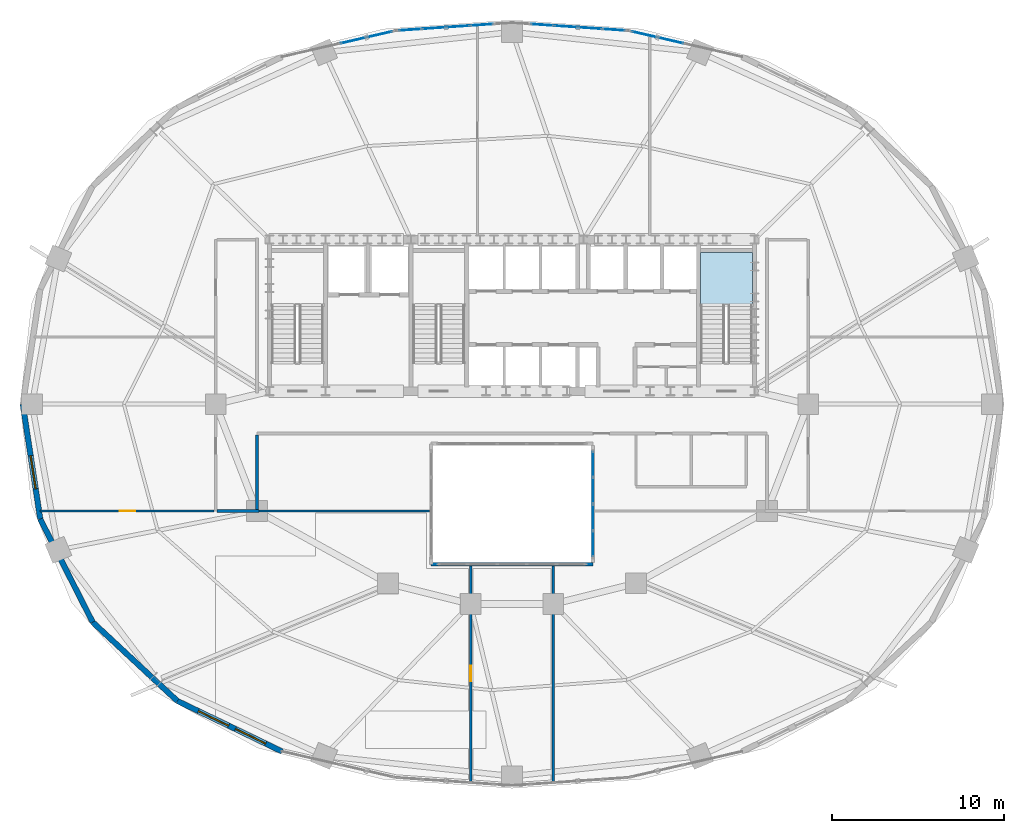
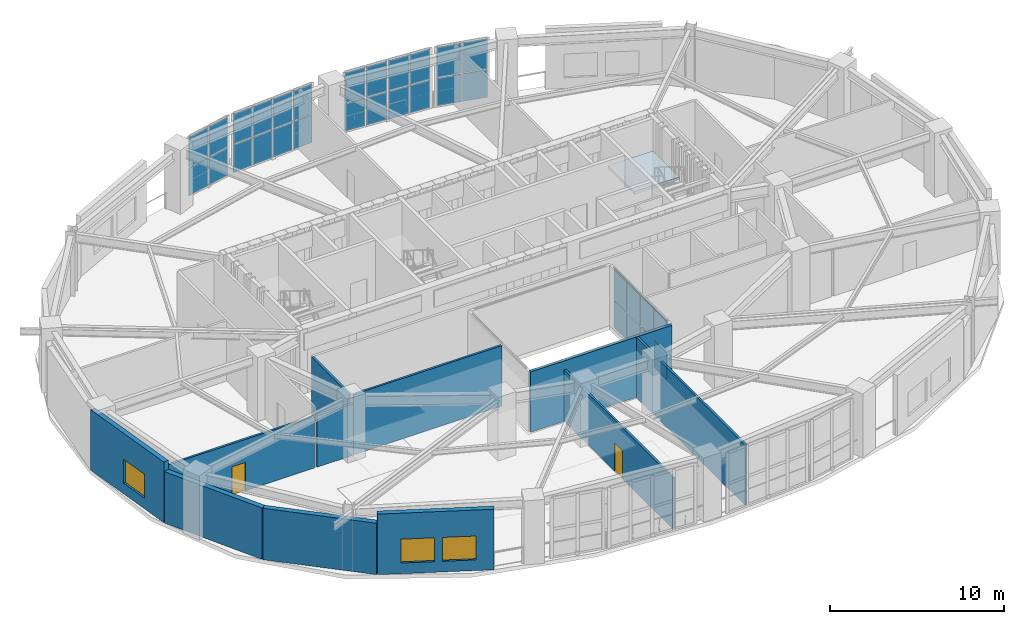
# One storey, part 9 of 15: 32 plates, 11 walls, 3 windows, 2 doors, 1 slab, 5 openings, 6 elements without a shape of their own.
"""IFC4 building model written with IfcOpenShell, lengths in metres."""

from ifc_helpers import new_model, si_unit, direction, frame, frame_2d, origin, origin_2d, place, context, subcontext, project, spatial, polyline, rectangle, outline, extrude, material, layer, layer_set, type_object, element, fill, aggregate, save


model = new_model("IFC4")

# Units and contexts
model_context = context("Model", 3, precision=1e-05, world=origin(), true_north=direction((0.0, 1.0)))
body_context = subcontext(model_context, "Body", "Model", "MODEL_VIEW")
ifc_project = project(units=[si_unit("LENGTHUNIT", "METRE"), si_unit("AREAUNIT", "SQUARE_METRE"), si_unit("VOLUMEUNIT", "CUBIC_METRE"), si_unit("PLANEANGLEUNIT", "RADIAN"), si_unit("MASSUNIT", "GRAM", prefix="KILO")], contexts=[model_context])

# Site, building, storey
site_placement = place(None, origin())
site = spatial("IfcSite", under=ifc_project, at=site_placement, CompositionType="ELEMENT")
building_placement = place(site_placement, origin())
building = spatial("IfcBuilding", under=site, at=building_placement, Name="Haldorwick Loom Tower", CompositionType="ELEMENT")
storey_placement = place(building_placement, frame((0.0, 0.0, 105.949951171875)))
storey = spatial("IfcBuildingStorey", under=building, at=storey_placement, Name="L28", CompositionType="ELEMENT", Elevation=105.949951171875)

# Curtain wall, plates
ifc_material_1 = material(Name="Thermally Broken Anodized Aluminium Curtain Wall Framing", Category="aluminium")
curtain_wall_type_1 = type_object("IfcCurtainWallType", Name="ARC-CW-03", PredefinedType="NOTDEFINED", material=ifc_material_1)
curtain_wall_1_placement = place(storey_placement, origin())
curtain_wall_1 = element("IfcCurtainWall", 1, at=curtain_wall_1_placement, inside=storey, type_object=curtain_wall_type_1, Name="L28 Atrium Glazed Screen E", PredefinedType="NOTDEFINED")
ifc_material_2 = material(Name="Triple-Glazed Low-E Argon Insulated Glazing Unit", Category="glass")
ifc_layer_1 = layer(ifc_material_2, 0.04296875, Name="Triple-Glazed Low-E Argon Insulated Glazing Unit", Category="glass")
ifc_layer_set_1 = layer_set([ifc_layer_1], Name="Triple-Glazed Low-E Argon Insulated Glazing Unit")
plate_type_1 = type_object("IfcPlateType", Name="ARC-CWP-03", PredefinedType="CURTAIN_PANEL", material=ifc_layer_set_1)
plate_1_placement = place(storey_placement, frame((40.699951171875, 22.508544921875, 0.066162109375), z_axis=(0.0, 0.0, 1.0), x_axis=(0.0, -1.0, 0.0)))
plate_1 = element("IfcPlate", 2, at=plate_1_placement, type_object=plate_type_1, Name="CW-03 panel 1.1", PredefinedType="CURTAIN_PANEL", context=body_context, shape_type="SweptSolid", body=[
    extrude(rectangle(XDim=1.450927734375, YDim=0.04296875, at=origin_2d()), origin(), (0.0, 0.0, 1.0), 1.90087890625),
])
plate_2_placement = place(storey_placement, frame((40.699951171875, 22.508544921875, 2.033203125), z_axis=(0.0, 0.0, 1.0), x_axis=(0.0, -1.0, 0.0)))
plate_2 = element("IfcPlate", 3, at=plate_2_placement, type_object=plate_type_1, Name="CW-03 panel 1.2", PredefinedType="CURTAIN_PANEL", context=body_context, shape_type="SweptSolid", body=[
    extrude(rectangle(XDim=1.450927734375, YDim=0.04296875, at=origin_2d()), origin(), (0.0, 0.0, 1.0), 2.160888671875),
])
plate_3_placement = place(storey_placement, frame((40.699951171875, 20.97509765625, 0.066162109375), z_axis=(0.0, 0.0, 1.0), x_axis=(0.0, -1.0, 0.0)))
plate_3 = element("IfcPlate", 4, at=plate_3_placement, type_object=plate_type_1, Name="CW-03 panel 2.1", PredefinedType="CURTAIN_PANEL", context=body_context, shape_type="SweptSolid", body=[
    extrude(rectangle(XDim=1.48388671875, YDim=0.04296875, at=origin_2d()), origin(), (0.0, 0.0, 1.0), 1.90087890625),
])
plate_4_placement = place(storey_placement, frame((40.699951171875, 20.97509765625, 2.033203125), z_axis=(0.0, 0.0, 1.0), x_axis=(0.0, -1.0, 0.0)))
plate_4 = element("IfcPlate", 5, at=plate_4_placement, type_object=plate_type_1, Name="CW-03 panel 2.2", PredefinedType="CURTAIN_PANEL", context=body_context, shape_type="SweptSolid", body=[
    extrude(rectangle(XDim=1.48388671875, YDim=0.04296875, at=origin_2d()), origin(), (0.0, 0.0, 1.0), 2.160888671875),
])
plate_5_placement = place(storey_placement, frame((40.699951171875, 19.425048828125, 0.066162109375), z_axis=(0.0, 0.0, 1.0), x_axis=(0.0, -1.0, 0.0)))
plate_5 = element("IfcPlate", 6, at=plate_5_placement, type_object=plate_type_1, Name="CW-03 panel 3.1", PredefinedType="CURTAIN_PANEL", context=body_context, shape_type="SweptSolid", body=[
    extrude(rectangle(XDim=1.48388671875, YDim=0.04296875, at=origin_2d()), origin(), (0.0, 0.0, 1.0), 1.90087890625),
])
plate_6_placement = place(storey_placement, frame((40.699951171875, 19.425048828125, 2.033203125), z_axis=(0.0, 0.0, 1.0), x_axis=(0.0, -1.0, 0.0)))
plate_6 = element("IfcPlate", 7, at=plate_6_placement, type_object=plate_type_1, Name="CW-03 panel 3.2", PredefinedType="CURTAIN_PANEL", context=body_context, shape_type="SweptSolid", body=[
    extrude(rectangle(XDim=1.48388671875, YDim=0.04296875, at=origin_2d()), origin(), (0.0, 0.0, 1.0), 2.160888671875),
])
plate_7_placement = place(storey_placement, frame((40.699951171875, 17.8916015625, 0.066162109375), z_axis=(0.0, 0.0, 1.0), x_axis=(0.0, -1.0, 0.0)))
plate_7 = element("IfcPlate", 8, at=plate_7_placement, type_object=plate_type_1, Name="CW-03 panel 4.1", PredefinedType="CURTAIN_PANEL", context=body_context, shape_type="SweptSolid", body=[
    extrude(rectangle(XDim=1.450927734375, YDim=0.04296875, at=origin_2d()), origin(), (0.0, 0.0, 1.0), 1.90087890625),
])
plate_8_placement = place(storey_placement, frame((40.699951171875, 17.8916015625, 2.033203125), z_axis=(0.0, 0.0, 1.0), x_axis=(0.0, -1.0, 0.0)))
plate_8 = element("IfcPlate", 9, at=plate_8_placement, type_object=plate_type_1, Name="CW-03 panel 4.2", PredefinedType="CURTAIN_PANEL", context=body_context, shape_type="SweptSolid", body=[
    extrude(rectangle(XDim=1.450927734375, YDim=0.04296875, at=origin_2d()), origin(), (0.0, 0.0, 1.0), 2.160888671875),
])
aggregate(curtain_wall_1, [plate_1, plate_2, plate_3, plate_4, plate_5, plate_6, plate_7, plate_8])

curtain_wall_type_2 = type_object("IfcCurtainWallType", Name="ARC-CW-04", PredefinedType="NOTDEFINED", material=ifc_material_1)
curtain_wall_2_placement = place(storey_placement, origin())
curtain_wall_2 = element("IfcCurtainWall", 10, at=curtain_wall_2_placement, inside=storey, type_object=curtain_wall_type_2, Name="L28 Facade Curtain Wall CW-04 Bay 5", PredefinedType="NOTDEFINED")
ifc_layer_2 = layer(ifc_material_2, 0.0458984375, Name="Triple-Glazed Low-E Argon Insulated Glazing Unit", Category="glass")
ifc_layer_set_2 = layer_set([ifc_layer_2], Name="Triple-Glazed Low-E Argon Insulated Glazing Unit")
plate_type_2 = type_object("IfcPlateType", Name="ARC-CWP-04", PredefinedType="CURTAIN_PANEL", material=ifc_layer_set_2)
plate_9_placement = place(storey_placement, frame((45.204345703125, 47.112060546875, 0.072021484375), z_axis=(0.0, 0.0, 1.0), x_axis=(-0.974593436624, 0.22398132353, 0.0)))
plate_9 = element("IfcPlate", 11, at=plate_9_placement, type_object=plate_type_2, Name="CW-04 panel 1.1", PredefinedType="CURTAIN_PANEL", context=body_context, shape_type="SweptSolid", body=[
    extrude(rectangle(XDim=1.48486328125, YDim=0.0458984375, at=origin_2d()), origin(), (0.0, 0.0, 1.0), 1.94189453125),
])
plate_10_placement = place(storey_placement, frame((45.204345703125, 47.112060546875, 2.0859375), z_axis=(0.0, 0.0, 1.0), x_axis=(-0.974593436624, 0.22398132353, 0.0)))
plate_10 = element("IfcPlate", 12, at=plate_10_placement, type_object=plate_type_2, Name="CW-04 panel 1.2", PredefinedType="CURTAIN_PANEL", context=body_context, shape_type="SweptSolid", body=[
    extrude(rectangle(XDim=1.48486328125, YDim=0.0458984375, at=origin_2d()), origin(), (0.0, 0.0, 1.0), 2.10205078125),
])
plate_11_placement = place(storey_placement, frame((43.687255859375, 47.460693359375, 0.072021484375), z_axis=(0.0, 0.0, 1.0), x_axis=(-0.974593436624, 0.22398132353, 0.0)))
plate_11 = element("IfcPlate", 13, at=plate_11_placement, type_object=plate_type_2, Name="CW-04 panel 2.1", PredefinedType="CURTAIN_PANEL", context=body_context, shape_type="SweptSolid", body=[
    extrude(rectangle(XDim=1.48486328125, YDim=0.0458984375, at=origin_2d()), origin(), (0.0, 0.0, 1.0), 1.94189453125),
])
plate_12_placement = place(storey_placement, frame((43.687255859375, 47.460693359375, 2.0859375), z_axis=(0.0, 0.0, 1.0), x_axis=(-0.974593436624, 0.22398132353, 0.0)))
plate_12 = element("IfcPlate", 14, at=plate_12_placement, type_object=plate_type_2, Name="CW-04 panel 2.2", PredefinedType="CURTAIN_PANEL", context=body_context, shape_type="SweptSolid", body=[
    extrude(rectangle(XDim=1.48486328125, YDim=0.0458984375, at=origin_2d()), origin(), (0.0, 0.0, 1.0), 2.10205078125),
])
aggregate(curtain_wall_2, [plate_9, plate_10, plate_11, plate_12])

curtain_wall_3_placement = place(storey_placement, origin())
curtain_wall_3 = element("IfcCurtainWall", 15, at=curtain_wall_3_placement, inside=storey, type_object=curtain_wall_type_2, Name="L28 Facade Curtain Wall CW-04 Bay 6", PredefinedType="NOTDEFINED")
plate_13_placement = place(storey_placement, frame((41.901611328125, 47.733154296875, 0.072021484375), z_axis=(0.0, 0.0, 1.0), x_axis=(-0.997651387223, 0.068496055152, 0.0)))
plate_13 = element("IfcPlate", 16, at=plate_13_placement, type_object=plate_type_2, Name="CW-04 panel 1.1", PredefinedType="CURTAIN_PANEL", context=body_context, shape_type="SweptSolid", body=[
    extrude(rectangle(XDim=1.291015625, YDim=0.0458984375, at=origin_2d()), origin(), (0.0, 0.0, 1.0), 1.94189453125),
])
plate_14_placement = place(storey_placement, frame((41.901611328125, 47.733154296875, 2.0859375), z_axis=(0.0, 0.0, 1.0), x_axis=(-0.997651387223, 0.068496055152, 0.0)))
plate_14 = element("IfcPlate", 17, at=plate_14_placement, type_object=plate_type_2, Name="CW-04 panel 1.2", PredefinedType="CURTAIN_PANEL", context=body_context, shape_type="SweptSolid", body=[
    extrude(rectangle(XDim=1.291015625, YDim=0.0458984375, at=origin_2d()), origin(), (0.0, 0.0, 1.0), 2.10205078125),
])
plate_15_placement = place(storey_placement, frame((40.52392578125, 47.827880859375, 0.072021484375), z_axis=(0.0, 0.0, 1.0), x_axis=(-0.997651387223, 0.068496055152, 0.0)))
plate_15 = element("IfcPlate", 18, at=plate_15_placement, type_object=plate_type_2, Name="CW-04 panel 2.1", PredefinedType="CURTAIN_PANEL", context=body_context, shape_type="SweptSolid", body=[
    extrude(rectangle(XDim=1.326904296875, YDim=0.0458984375, at=origin_2d()), origin(), (0.0, 0.0, 1.0), 1.94189453125),
])
plate_16_placement = place(storey_placement, frame((40.52392578125, 47.827880859375, 2.0859375), z_axis=(0.0, 0.0, 1.0), x_axis=(-0.997651387223, 0.068496055152, 0.0)))
plate_16 = element("IfcPlate", 19, at=plate_16_placement, type_object=plate_type_2, Name="CW-04 panel 2.2", PredefinedType="CURTAIN_PANEL", context=body_context, shape_type="SweptSolid", body=[
    extrude(rectangle(XDim=1.326904296875, YDim=0.0458984375, at=origin_2d()), origin(), (0.0, 0.0, 1.0), 2.10205078125),
])
plate_17_placement = place(storey_placement, frame((39.128173828125, 47.923583984375, 0.072021484375), z_axis=(0.0, 0.0, 1.0), x_axis=(-0.997651387223, 0.068496055152, 0.0)))
plate_17 = element("IfcPlate", 20, at=plate_17_placement, type_object=plate_type_2, Name="CW-04 panel 3.1", PredefinedType="CURTAIN_PANEL", context=body_context, shape_type="SweptSolid", body=[
    extrude(rectangle(XDim=1.326904296875, YDim=0.0458984375, at=origin_2d()), origin(), (0.0, 0.0, 1.0), 1.94189453125),
])
plate_18_placement = place(storey_placement, frame((39.128173828125, 47.923583984375, 2.0859375), z_axis=(0.0, 0.0, 1.0), x_axis=(-0.997651387223, 0.068496055152, 0.0)))
plate_18 = element("IfcPlate", 21, at=plate_18_placement, type_object=plate_type_2, Name="CW-04 panel 3.2", PredefinedType="CURTAIN_PANEL", context=body_context, shape_type="SweptSolid", body=[
    extrude(rectangle(XDim=1.326904296875, YDim=0.0458984375, at=origin_2d()), origin(), (0.0, 0.0, 1.0), 2.10205078125),
])
plate_19_placement = place(storey_placement, frame((37.75048828125, 48.018310546875, 0.072021484375), z_axis=(0.0, 0.0, 1.0), x_axis=(-0.997651387223, 0.068496055152, 0.0)))
plate_19 = element("IfcPlate", 22, at=plate_19_placement, type_object=plate_type_2, Name="CW-04 panel 4.1", PredefinedType="CURTAIN_PANEL", context=body_context, shape_type="SweptSolid", body=[
    extrude(rectangle(XDim=1.291015625, YDim=0.0458984375, at=origin_2d()), origin(), (0.0, 0.0, 1.0), 1.94189453125),
])
plate_20_placement = place(storey_placement, frame((37.75048828125, 48.018310546875, 2.0859375), z_axis=(0.0, 0.0, 1.0), x_axis=(-0.997651387223, 0.068496055152, 0.0)))
plate_20 = element("IfcPlate", 23, at=plate_20_placement, type_object=plate_type_2, Name="CW-04 panel 4.2", PredefinedType="CURTAIN_PANEL", context=body_context, shape_type="SweptSolid", body=[
    extrude(rectangle(XDim=1.291015625, YDim=0.0458984375, at=origin_2d()), origin(), (0.0, 0.0, 1.0), 2.10205078125),
])
aggregate(curtain_wall_3, [plate_13, plate_14, plate_15, plate_16, plate_17, plate_18, plate_19, plate_20])

curtain_wall_4_placement = place(storey_placement, origin())
curtain_wall_4 = element("IfcCurtainWall", 24, at=curtain_wall_4_placement, inside=storey, type_object=curtain_wall_type_2, Name="L28 Facade Curtain Wall CW-04 Bay 7", PredefinedType="NOTDEFINED")
plate_21_placement = place(storey_placement, frame((34.24951171875, 48.018310546875, 0.072021484375), z_axis=(0.0, 0.0, 1.0), x_axis=(-0.997651387223, -0.068496055152, 0.0)))
plate_21 = element("IfcPlate", 25, at=plate_21_placement, type_object=plate_type_2, Name="CW-04 panel 1.1", PredefinedType="CURTAIN_PANEL", context=body_context, shape_type="SweptSolid", body=[
    extrude(rectangle(XDim=1.291015625, YDim=0.0458984375, at=origin_2d()), origin(), (0.0, 0.0, 1.0), 1.94189453125),
])
plate_22_placement = place(storey_placement, frame((34.24951171875, 48.018310546875, 2.0859375), z_axis=(0.0, 0.0, 1.0), x_axis=(-0.997651387223, -0.068496055152, 0.0)))
plate_22 = element("IfcPlate", 26, at=plate_22_placement, type_object=plate_type_2, Name="CW-04 panel 1.2", PredefinedType="CURTAIN_PANEL", context=body_context, shape_type="SweptSolid", body=[
    extrude(rectangle(XDim=1.291015625, YDim=0.0458984375, at=origin_2d()), origin(), (0.0, 0.0, 1.0), 2.10205078125),
])
plate_23_placement = place(storey_placement, frame((32.871826171875, 47.923583984375, 0.072021484375), z_axis=(0.0, 0.0, 1.0), x_axis=(-0.997651387223, -0.068496055152, 0.0)))
plate_23 = element("IfcPlate", 27, at=plate_23_placement, type_object=plate_type_2, Name="CW-04 panel 2.1", PredefinedType="CURTAIN_PANEL", context=body_context, shape_type="SweptSolid", body=[
    extrude(rectangle(XDim=1.326904296875, YDim=0.0458984375, at=origin_2d()), origin(), (0.0, 0.0, 1.0), 1.94189453125),
])
plate_24_placement = place(storey_placement, frame((32.871826171875, 47.923583984375, 2.0859375), z_axis=(0.0, 0.0, 1.0), x_axis=(-0.997651387223, -0.068496055152, 0.0)))
plate_24 = element("IfcPlate", 28, at=plate_24_placement, type_object=plate_type_2, Name="CW-04 panel 2.2", PredefinedType="CURTAIN_PANEL", context=body_context, shape_type="SweptSolid", body=[
    extrude(rectangle(XDim=1.326904296875, YDim=0.0458984375, at=origin_2d()), origin(), (0.0, 0.0, 1.0), 2.10205078125),
])
plate_25_placement = place(storey_placement, frame((31.47607421875, 47.827880859375, 0.072021484375), z_axis=(0.0, 0.0, 1.0), x_axis=(-0.997651387223, -0.068496055152, 0.0)))
plate_25 = element("IfcPlate", 29, at=plate_25_placement, type_object=plate_type_2, Name="CW-04 panel 3.1", PredefinedType="CURTAIN_PANEL", context=body_context, shape_type="SweptSolid", body=[
    extrude(rectangle(XDim=1.326904296875, YDim=0.0458984375, at=origin_2d()), origin(), (0.0, 0.0, 1.0), 1.94189453125),
])
plate_26_placement = place(storey_placement, frame((31.47607421875, 47.827880859375, 2.0859375), z_axis=(0.0, 0.0, 1.0), x_axis=(-0.997651387223, -0.068496055152, 0.0)))
plate_26 = element("IfcPlate", 30, at=plate_26_placement, type_object=plate_type_2, Name="CW-04 panel 3.2", PredefinedType="CURTAIN_PANEL", context=body_context, shape_type="SweptSolid", body=[
    extrude(rectangle(XDim=1.326904296875, YDim=0.0458984375, at=origin_2d()), origin(), (0.0, 0.0, 1.0), 2.10205078125),
])
plate_27_placement = place(storey_placement, frame((30.098388671875, 47.733154296875, 0.072021484375), z_axis=(0.0, 0.0, 1.0), x_axis=(-0.997651387223, -0.068496055152, 0.0)))
plate_27 = element("IfcPlate", 31, at=plate_27_placement, type_object=plate_type_2, Name="CW-04 panel 4.1", PredefinedType="CURTAIN_PANEL", context=body_context, shape_type="SweptSolid", body=[
    extrude(rectangle(XDim=1.291015625, YDim=0.0458984375, at=origin_2d()), origin(), (0.0, 0.0, 1.0), 1.94189453125),
])
plate_28_placement = place(storey_placement, frame((30.098388671875, 47.733154296875, 2.0859375), z_axis=(0.0, 0.0, 1.0), x_axis=(-0.997651387223, -0.068496055152, 0.0)))
plate_28 = element("IfcPlate", 32, at=plate_28_placement, type_object=plate_type_2, Name="CW-04 panel 4.2", PredefinedType="CURTAIN_PANEL", context=body_context, shape_type="SweptSolid", body=[
    extrude(rectangle(XDim=1.291015625, YDim=0.0458984375, at=origin_2d()), origin(), (0.0, 0.0, 1.0), 2.10205078125),
])
aggregate(curtain_wall_4, [plate_21, plate_22, plate_23, plate_24, plate_25, plate_26, plate_27, plate_28])

curtain_wall_5_placement = place(storey_placement, origin())
curtain_wall_5 = element("IfcCurtainWall", 33, at=curtain_wall_5_placement, inside=storey, type_object=curtain_wall_type_2, Name="L28 Facade Curtain Wall CW-04 Bay 8", PredefinedType="NOTDEFINED")
plate_29_placement = place(storey_placement, frame((28.312744140625, 47.460693359375, 0.072021484375), z_axis=(0.0, 0.0, 1.0), x_axis=(-0.974593436624, -0.22398132353, 0.0)))
plate_29 = element("IfcPlate", 34, at=plate_29_placement, type_object=plate_type_2, Name="CW-04 panel 1.1", PredefinedType="CURTAIN_PANEL", context=body_context, shape_type="SweptSolid", body=[
    extrude(rectangle(XDim=1.48486328125, YDim=0.0458984375, at=origin_2d()), origin(), (0.0, 0.0, 1.0), 1.94189453125),
])
plate_30_placement = place(storey_placement, frame((28.312744140625, 47.460693359375, 2.0859375), z_axis=(0.0, 0.0, 1.0), x_axis=(-0.974593436624, -0.22398132353, 0.0)))
plate_30 = element("IfcPlate", 35, at=plate_30_placement, type_object=plate_type_2, Name="CW-04 panel 1.2", PredefinedType="CURTAIN_PANEL", context=body_context, shape_type="SweptSolid", body=[
    extrude(rectangle(XDim=1.48486328125, YDim=0.0458984375, at=origin_2d()), origin(), (0.0, 0.0, 1.0), 2.10205078125),
])
plate_31_placement = place(storey_placement, frame((26.795654296875, 47.112060546875, 0.072021484375), z_axis=(0.0, 0.0, 1.0), x_axis=(-0.974593436624, -0.22398132353, 0.0)))
plate_31 = element("IfcPlate", 36, at=plate_31_placement, type_object=plate_type_2, Name="CW-04 panel 2.1", PredefinedType="CURTAIN_PANEL", context=body_context, shape_type="SweptSolid", body=[
    extrude(rectangle(XDim=1.48486328125, YDim=0.0458984375, at=origin_2d()), origin(), (0.0, 0.0, 1.0), 1.94189453125),
])
plate_32_placement = place(storey_placement, frame((26.795654296875, 47.112060546875, 2.0859375), z_axis=(0.0, 0.0, 1.0), x_axis=(-0.974593436624, -0.22398132353, 0.0)))
plate_32 = element("IfcPlate", 37, at=plate_32_placement, type_object=plate_type_2, Name="CW-04 panel 2.2", PredefinedType="CURTAIN_PANEL", context=body_context, shape_type="SweptSolid", body=[
    extrude(rectangle(XDim=1.48486328125, YDim=0.0458984375, at=origin_2d()), origin(), (0.0, 0.0, 1.0), 2.10205078125),
])
aggregate(curtain_wall_5, [plate_29, plate_30, plate_31, plate_32])

# Stair, slab
ifc_material_3 = material(Name="Concrete C40 (40 MPa)", Category="concrete")
stair_type = type_object("IfcStairType", Name="STR-STR-CORE", PredefinedType="HALF_TURN_STAIR", material=ifc_material_3)
stair_placement = place(storey_placement, origin())
stair = element("IfcStair", 38, at=stair_placement, inside=storey, type_object=stair_type, Name="L28 Exit Stair ST-02", PredefinedType="HALF_TURN_STAIR")
ifc_layer_3 = layer(ifc_material_3, 0.199951171875, Name="Concrete C40 (40 MPa)", Category="concrete")
ifc_layer_set_3 = layer_set([ifc_layer_3], Name="Concrete C40 (40 MPa)")
slab_type = type_object("IfcSlabType", Name="STR-SLB-LAND200", PredefinedType="LANDING", material=ifc_layer_set_3)
slab_placement = place(storey_placement, frame((0.0, 0.0, 2.050048828125)))
slab = element("IfcSlab", 39, at=slab_placement, type_object=slab_type, Name="ST-02 landing 1", PredefinedType="LANDING", context=body_context, shape_type="SweptSolid", body=[
    extrude(outline(polyline([(49.949951171875, 31.760009765625), (49.949951171875, 34.800048828125), (46.949951171875, 34.800048828125), (46.949951171875, 31.760009765625), (49.949951171875, 31.760009765625)])), origin(), (0.0, 0.0, 1.0), 0.199951171875),
])
aggregate(stair, [slab])

# Wall, opening, window
ifc_material_4 = material(Name="Pressed Clay Face Brick and Insulated Masonry Backup Assembly", Category="masonry")
ifc_layer_4 = layer(ifc_material_4, 0.320068359375, Name="Pressed Clay Face Brick and Insulated Masonry Backup Assembly", Category="masonry")
ifc_layer_set_4 = layer_set([ifc_layer_4], Name="Pressed Clay Face Brick and Insulated Masonry Backup Assembly")
wall_type_1 = type_object("IfcWallType", Name="ARC-WL-EXT320", PredefinedType="STANDARD", material=ifc_layer_set_4)
wall_1_placement = place(storey_placement, frame((7.602294921875, 26.0, 0.0), z_axis=(0.0, 0.0, 1.0), x_axis=(0.150633288003, -0.988589708901, 0.0)))
wall_1 = element("IfcWall", 40, at=wall_1_placement, inside=storey, type_object=wall_type_1, Name="L28 Brick Pier and Spandrel Wall 13", PredefinedType="STANDARD", context=body_context, shape_type="SweptSolid", body=[
    extrude(rectangle(XDim=6.752197265625, YDim=0.320068359375, at=frame_2d((3.3759765625, 0.0))), origin(), (0.0, 0.0, 1.0), 4.260009765625),
])
opening_1_placement = place(wall_1_placement, frame((3.0283203125, 0.0, 0.75)))
opening_1 = element("IfcOpeningElement", 41, at=opening_1_placement, cuts=wall_1, Name="Opening W-04B", PredefinedType="OPENING", context=body_context, shape_type="SweptSolid", body=[
    extrude(rectangle(XDim=1.949951171875, YDim=1.679931640625, at=frame_2d((0.97509765625, 0.83984375))), frame((0.0, 0.169921875, 0.0), z_axis=(0.0, -1.0, 0.0), x_axis=(1.0, 0.0, 0.0)), (0.0, 0.0, 1.0), 0.340087890625),
])
window_type = type_object("IfcWindowType", Name="ARC-WIN-W195", PartitioningType="SINGLE_PANEL", PredefinedType="WINDOW", material=ifc_material_2)
window_1_placement = place(opening_1_placement, origin())
window_1 = element("IfcWindow", 42, at=window_1_placement, inside=storey, type_object=window_type, Name="L28 Deep-Set Zone 7A Window 13", OverallHeight=1.679931640625, OverallWidth=1.949951171875, PartitioningType="SINGLE_PANEL", PredefinedType="WINDOW", context=body_context, shape_type="SweptSolid", body=[
    extrude(rectangle(XDim=1.949951171875, YDim=1.679931640625, at=frame_2d((0.97509765625, 0.83984375))), frame((0.0, 0.030029296875, 0.0), z_axis=(0.0, -1.0, 0.0), x_axis=(1.0, 0.0, 0.0)), (0.0, 0.0, 1.0), 0.06005859375),
])
fill(opening_1, window_1)

# Walls
wall_2_placement = place(storey_placement, frame((8.619384765625, 19.324951171875, 0.0), z_axis=(0.0, 0.0, 1.0), x_axis=(0.453374078001, -0.89132033826, 0.0)))
element("IfcWall", 43, at=wall_2_placement, inside=storey, type_object=wall_type_1, Name="L28 Brick Pier and Spandrel Wall 14", PredefinedType="STANDARD", context=body_context, shape_type="SweptSolid", body=[
    extrude(rectangle(XDim=6.709716796875, YDim=0.320068359375, at=frame_2d((3.35498046875, 0.0))), origin(), (0.0, 0.0, 1.0), 3.619140625),
])
wall_3_placement = place(storey_placement, frame((11.661376953125, 13.344482421875, 0.0), z_axis=(0.0, 0.0, 1.0), x_axis=(0.732137360086, -0.681157020052, 0.0)))
element("IfcWall", 44, at=wall_3_placement, inside=storey, type_object=wall_type_1, Name="L28 Brick Pier and Spandrel Wall 15", PredefinedType="STANDARD", context=body_context, shape_type="SweptSolid", body=[
    extrude(rectangle(XDim=6.709228515625, YDim=0.320068359375, at=frame_2d((3.3544921875, 0.0))), origin(), (0.0, 0.0, 1.0), 3.619140625),
])

# Wall, openings, windows
wall_4_placement = place(storey_placement, frame((16.573486328125, 8.7744140625, 0.0), z_axis=(0.0, 0.0, 1.0), x_axis=(0.900510094661, -0.434835106004, 0.0)))
wall_4 = element("IfcWall", 45, at=wall_4_placement, inside=storey, type_object=wall_type_1, Name="L28 Brick Pier and Spandrel Wall 16", PredefinedType="STANDARD", context=body_context, shape_type="SweptSolid", body=[
    extrude(rectangle(XDim=6.744873046875, YDim=0.320068359375, at=frame_2d((3.37255859375, 0.0))), origin(), (0.0, 0.0, 1.0), 4.260009765625),
])
opening_2_placement = place(wall_4_placement, frame((1.353759765625, 0.0, 0.75)))
opening_2 = element("IfcOpeningElement", 46, at=opening_2_placement, cuts=wall_4, Name="Opening W-04B", PredefinedType="OPENING", context=body_context, shape_type="SweptSolid", body=[
    extrude(rectangle(XDim=1.949951171875, YDim=1.679931640625, at=frame_2d((0.97509765625, 0.83984375))), frame((0.0, 0.169921875, 0.0), z_axis=(0.0, -1.0, 0.0), x_axis=(1.0, 0.0, 0.0)), (0.0, 0.0, 1.0), 0.340087890625),
])
opening_3_placement = place(wall_4_placement, frame((3.746337890625, 0.0, 0.75)))
opening_3 = element("IfcOpeningElement", 47, at=opening_3_placement, cuts=wall_4, Name="Opening W-04B", PredefinedType="OPENING", context=body_context, shape_type="SweptSolid", body=[
    extrude(rectangle(XDim=1.949951171875, YDim=1.679931640625, at=frame_2d((0.97509765625, 0.83984375))), frame((0.0, 0.169921875, 0.0), z_axis=(0.0, -1.0, 0.0), x_axis=(1.0, 0.0, 0.0)), (0.0, 0.0, 1.0), 0.340087890625),
])
window_2_placement = place(opening_2_placement, origin())
window_2 = element("IfcWindow", 48, at=window_2_placement, inside=storey, type_object=window_type, Name="L28 Deep-Set Zone 7A Window 16", OverallHeight=1.679931640625, OverallWidth=1.949951171875, PartitioningType="SINGLE_PANEL", PredefinedType="WINDOW", context=body_context, shape_type="SweptSolid", body=[
    extrude(rectangle(XDim=1.949951171875, YDim=1.679931640625, at=frame_2d((0.97509765625, 0.83984375))), frame((0.0, 0.030029296875, 0.0), z_axis=(0.0, -1.0, 0.0), x_axis=(1.0, 0.0, 0.0)), (0.0, 0.0, 1.0), 0.06005859375),
])
fill(opening_2, window_2)
window_3_placement = place(opening_3_placement, origin())
window_3 = element("IfcWindow", 49, at=window_3_placement, inside=storey, type_object=window_type, Name="L28 Deep-Set Zone 7A Window 16", OverallHeight=1.679931640625, OverallWidth=1.949951171875, PartitioningType="SINGLE_PANEL", PredefinedType="WINDOW", context=body_context, shape_type="SweptSolid", body=[
    extrude(rectangle(XDim=1.949951171875, YDim=1.679931640625, at=frame_2d((0.97509765625, 0.83984375))), frame((0.0, 0.030029296875, 0.0), z_axis=(0.0, -1.0, 0.0), x_axis=(1.0, 0.0, 0.0)), (0.0, 0.0, 1.0), 0.06005859375),
])
fill(opening_3, window_3)

# Walls
ifc_material_5 = material(Name="Fire-Rated Type X Gypsum Stud Assembly EI 60")
ifc_layer_5 = layer(ifc_material_5, 0.159912109375, Name="Fire-Rated Type X Gypsum Stud Assembly EI 60")
ifc_layer_set_5 = layer_set([ifc_layer_5], Name="Fire-Rated Type X Gypsum Stud Assembly EI 60")
wall_type_2 = type_object("IfcWallType", Name="ARC-WL-FIRE160", PredefinedType="PARTITIONING", material=ifc_layer_set_5)
wall_5_placement = place(storey_placement, frame((18.883056640625, 19.800048828125, 0.0), z_axis=(0.0, 0.0, 1.0), x_axis=(1.0, 0.0, 0.0)))
element("IfcWall", 50, at=wall_5_placement, inside=storey, type_object=wall_type_2, Name="L28 Interior Partition L28-CWS", PredefinedType="PARTITIONING", context=body_context, shape_type="SweptSolid", body=[
    extrude(rectangle(XDim=2.43701171875, YDim=0.159912109375, at=frame_2d((1.218505859375, 0.0))), origin(), (0.0, 0.0, 1.0), 3.6181640625),
])
wall_6_placement = place(storey_placement, frame((21.199951171875, 19.883056640625, 0.0), z_axis=(0.0, 0.0, 1.0), x_axis=(0.0, 1.0, 0.0)))
element("IfcWall", 51, at=wall_6_placement, inside=storey, type_object=wall_type_2, Name="L28 Interior Partition L28-CW1", PredefinedType="PARTITIONING", context=body_context, shape_type="SweptSolid", body=[
    extrude(rectangle(XDim=4.333984375, YDim=0.159912109375, at=frame_2d((2.1669921875, 0.0))), origin(), (0.0, 0.0, 1.0), 4.2451171875),
])
ifc_material_6 = material(Name="Fire-Rated Type X Gypsum Stud Assembly EI 120")
ifc_layer_6 = layer(ifc_material_6, 0.199951171875, Name="Fire-Rated Type X Gypsum Stud Assembly EI 120")
ifc_layer_set_6 = layer_set([ifc_layer_6], Name="Fire-Rated Type X Gypsum Stud Assembly EI 120")
wall_type_3 = type_object("IfcWallType", Name="ARC-WL-FIRE200", PredefinedType="PARTITIONING", material=ifc_layer_set_6)
wall_7_placement = place(storey_placement, frame((40.699951171875, 16.699951171875, 0.0), z_axis=(0.0, 0.0, 1.0), x_axis=(-1.0, 0.0, 0.0)))
element("IfcWall", 52, at=wall_7_placement, inside=storey, type_object=wall_type_3, Name="L28 Atrium Fire Wall", PredefinedType="PARTITIONING", context=body_context, shape_type="SweptSolid", body=[
    extrude(rectangle(XDim=9.39990234375, YDim=0.199951171875, at=frame_2d((4.699951171875, 0.0))), origin(), (0.0, 0.0, 1.0), 4.2451171875),
])

# Wall, opening, door
ifc_layer_7 = layer(ifc_material_5, 0.139892578125, Name="Fire-Rated Type X Gypsum Stud Assembly EI 60")
ifc_layer_set_7 = layer_set([ifc_layer_7], Name="Fire-Rated Type X Gypsum Stud Assembly EI 60")
wall_type_4 = type_object("IfcWallType", Name="ARC-WL-PART140", PredefinedType="PARTITIONING", material=ifc_layer_set_7)
wall_8_placement = place(storey_placement, frame((33.60009765625, 4.091552734375, 0.0), z_axis=(0.0, 0.0, 1.0), x_axis=(0.0, 1.0, 0.0)))
wall_8 = element("IfcWall", 53, at=wall_8_placement, inside=storey, type_object=wall_type_4, Name="L28 Interior Partition L28-S-0", PredefinedType="PARTITIONING", context=body_context, shape_type="SweptSolid", body=[
    extrude(rectangle(XDim=12.50537109375, YDim=0.139892578125, at=frame_2d((6.252685546875, 0.0))), origin(), (0.0, 0.0, 1.0), 3.6181640625),
])
opening_4_placement = place(wall_8_placement, frame((5.812744140625, 0.0, 0.0)))
opening_4 = element("IfcOpeningElement", 54, at=opening_4_placement, cuts=wall_8, Name="Opening D-FD60A", PredefinedType="OPENING", context=body_context, shape_type="SweptSolid", body=[
    extrude(rectangle(XDim=0.89990234375, YDim=2.0, at=frame_2d((0.449951171875, 1.0))), frame((0.0, 0.079833984375, 0.0), z_axis=(0.0, -1.0, 0.0), x_axis=(1.0, 0.0, 0.0)), (0.0, 0.0, 1.0), 0.159912109375),
])
ifc_material_7 = material(Name="Hollow Steel Fire Door Assembly", Category="steel")
door_type = type_object("IfcDoorType", Name="ARC-DR-FD60-90", OperationType="NOTDEFINED", PredefinedType="DOOR", material=ifc_material_7)
door_1_placement = place(opening_4_placement, origin())
door_1 = element("IfcDoor", 55, at=door_1_placement, inside=storey, type_object=door_type, Name="L28 Sky Concierge Reception 2 to Low-to-Mid Sky Observatory Salon 1 Door", OperationType="SINGLE_SWING_RIGHT", OverallHeight=2.0, OverallWidth=0.89990234375, PredefinedType="DOOR", context=body_context, shape_type="SweptSolid", body=[
    extrude(rectangle(XDim=0.89990234375, YDim=2.0, at=frame_2d((0.449951171875, 1.0))), frame((0.0, 0.02490234375, 0.0), z_axis=(0.0, -1.0, 0.0), x_axis=(1.0, 0.0, 0.0)), (0.0, 0.0, 1.0), 0.050048828125),
])
fill(opening_4, door_1)

# Wall
wall_9_placement = place(storey_placement, frame((38.39990234375, 4.091552734375, 0.0), z_axis=(0.0, 0.0, 1.0), x_axis=(0.0, 1.0, 0.0)))
element("IfcWall", 56, at=wall_9_placement, inside=storey, type_object=wall_type_4, Name="L28 Interior Partition L28-S-1", PredefinedType="PARTITIONING", context=body_context, shape_type="SweptSolid", body=[
    extrude(rectangle(XDim=12.50537109375, YDim=0.139892578125, at=frame_2d((6.252685546875, 0.0))), origin(), (0.0, 0.0, 1.0), 4.2451171875),
])

# Wall, opening, door
wall_10_placement = place(storey_placement, frame((8.61279296875, 19.800048828125, 0.0), z_axis=(0.0, 0.0, 1.0), x_axis=(1.0, 0.0, 0.0)))
wall_10 = element("IfcWall", 57, at=wall_10_placement, inside=storey, type_object=wall_type_4, Name="L28 Interior Partition L28-WL-S", PredefinedType="PARTITIONING", context=body_context, shape_type="SweptSolid", body=[
    extrude(rectangle(XDim=10.104248046875, YDim=0.139892578125, at=frame_2d((5.05224609375, 0.0))), origin(), (0.0, 0.0, 1.0), 3.6181640625),
])
opening_5_placement = place(wall_10_placement, frame((4.612060546875, 0.0, 0.0)))
opening_5 = element("IfcOpeningElement", 58, at=opening_5_placement, cuts=wall_10, Name="Opening D-FD60A", PredefinedType="OPENING", context=body_context, shape_type="SweptSolid", body=[
    extrude(rectangle(XDim=0.89990234375, YDim=2.0, at=frame_2d((0.449951171875, 1.0))), frame((0.0, 0.079833984375, 0.0), z_axis=(0.0, -1.0, 0.0), x_axis=(1.0, 0.0, 0.0)), (0.0, 0.0, 1.0), 0.159912109375),
])
door_2_placement = place(opening_5_placement, origin())
door_2 = element("IfcDoor", 59, at=door_2_placement, inside=storey, type_object=door_type, Name="L28 Sky Concierge Reception 7 to Sky Concierge Reception 2 Door", OperationType="SINGLE_SWING_LEFT", OverallHeight=2.0, OverallWidth=0.89990234375, PredefinedType="DOOR", context=body_context, shape_type="SweptSolid", body=[
    extrude(rectangle(XDim=0.89990234375, YDim=2.0, at=frame_2d((0.449951171875, 1.0))), frame((0.0, 0.02490234375, 0.0), z_axis=(0.0, -1.0, 0.0), x_axis=(1.0, 0.0, 0.0)), (0.0, 0.0, 1.0), 0.050048828125),
])
fill(opening_5, door_2)

# Wall
wall_11_placement = place(storey_placement, frame((21.320068359375, 19.800048828125, 0.0), z_axis=(0.0, 0.0, 1.0), x_axis=(1.0, 0.0, 0.0)))
element("IfcWall", 60, at=wall_11_placement, inside=storey, type_object=wall_type_4, Name="L28 Interior Partition L28-WL-S", PredefinedType="PARTITIONING", context=body_context, shape_type="SweptSolid", body=[
    extrude(rectangle(XDim=9.876953125, YDim=0.139892578125, at=frame_2d((4.9384765625, 0.0))), origin(), (0.0, 0.0, 1.0), 4.2451171875),
])

save(model, "model.ifc")
